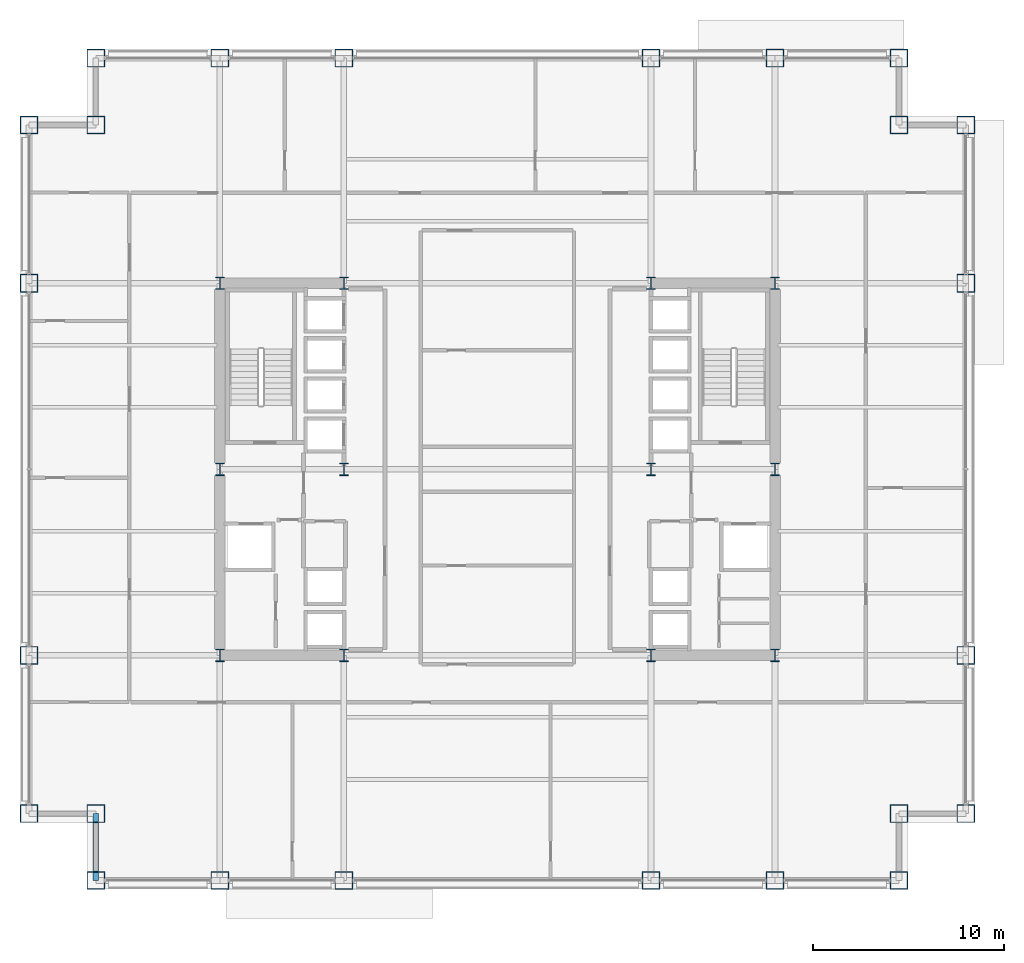
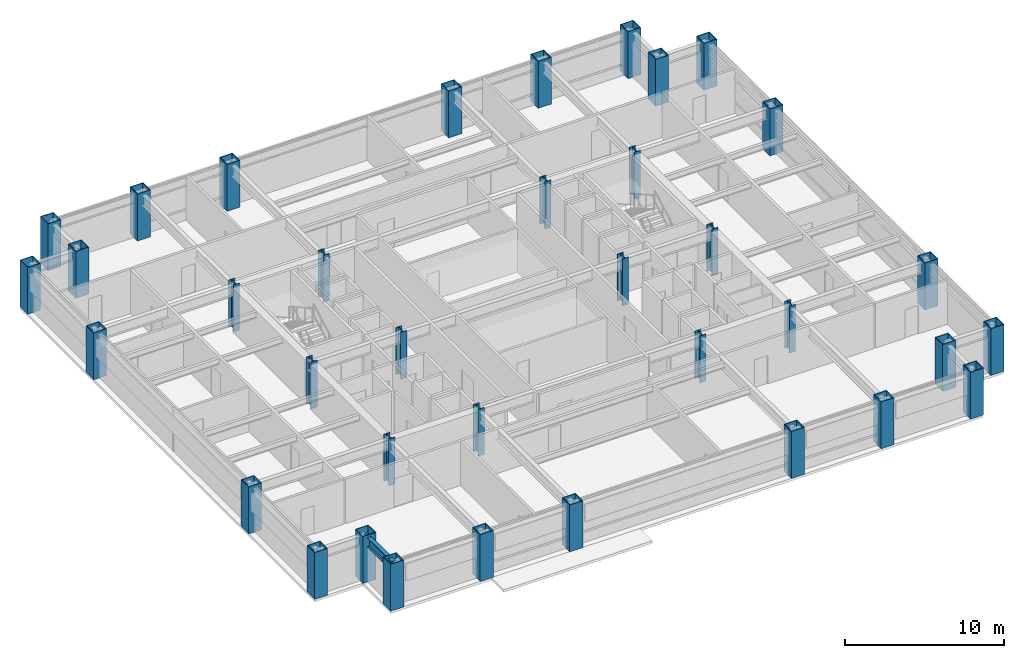
# One storey, part 1 of 28: 36 columns, 1 beam.
"""IFC4 building model written with IfcOpenShell, lengths in metres."""

from ifc_helpers import new_model, si_unit, direction, frame, origin, origin_2d, place, context, subcontext, project, spatial, hollow_rectangle, i_section, extrude, material, material_profile, profile_set, type_object, element, save


model = new_model("IFC4")

# Units and contexts
model_context = context("Model", 3, precision=1e-05, world=origin(), true_north=direction((0.0, 1.0)))
body_context = subcontext(model_context, "Body", "Model", "MODEL_VIEW")
ifc_project = project(units=[si_unit("LENGTHUNIT", "METRE"), si_unit("AREAUNIT", "SQUARE_METRE"), si_unit("VOLUMEUNIT", "CUBIC_METRE"), si_unit("PLANEANGLEUNIT", "RADIAN"), si_unit("MASSUNIT", "GRAM", prefix="KILO")], contexts=[model_context])

# Site, building, storey
site_placement = place(None, origin())
site = spatial("IfcSite", under=ifc_project, at=site_placement, CompositionType="ELEMENT")
building_placement = place(site_placement, origin())
building = spatial("IfcBuilding", under=site, at=building_placement, Name="Brelmoor Portico Tower", CompositionType="ELEMENT")
storey_placement = place(building_placement, frame((0.0, 0.0, 49.199951171875)))
storey = spatial("IfcBuildingStorey", under=building, at=storey_placement, Name="L12", CompositionType="ELEMENT", Elevation=49.199951171875)

# Columns
ifc_material_1 = material(Name="Steel Q420B", Category="steel")
ifc_material_profile_1 = material_profile(ifc_material_1, hollow_rectangle(XDim=0.949951171875, YDim=0.949951171875, WallThickness=0.048095703125, at=origin_2d()), Name="BOX 950x950x48")
ifc_profile_set_1 = profile_set([ifc_material_profile_1], Name="Steel Q420B")
column_type_1 = type_object("IfcColumnType", Name="COL-MEGA-950", PredefinedType="COLUMN", material=ifc_profile_set_1)
for number, where, z_axis, x_axis, name in (
    (1, (-21.050048828125, -21.550048828125, 0.0), (0.0, 0.0, 1.0), (1.0, 0.0, 0.0), "L12 Perimeter Mega-Column PS01"),
    (2, (-14.550048828125, -21.550048828125, 0.0), (0.0, 0.0, 1.0), (1.0, 0.0, 0.0), "L12 Perimeter Mega-Column PS02"),
    (3, (-8.050048828125, -21.550048828125, 0.0), (0.0, 0.0, 1.0), (1.0, 0.0, 0.0), "L12 Perimeter Mega-Column PS03"),
    (4, (8.050048828125, -21.550048828125, 0.0), (0.0, 0.0, 1.0), (1.0, 0.0, 0.0), "L12 Perimeter Mega-Column PS04"),
    (5, (14.550048828125, -21.550048828125, 0.0), (0.0, 0.0, 1.0), (1.0, 0.0, 0.0), "L12 Perimeter Mega-Column PS05"),
    (6, (21.050048828125, -21.550048828125, 0.0), (0.0, 0.0, 1.0), (1.0, 0.0, 0.0), "L12 Perimeter Mega-Column PS06"),
    (7, (-21.050048828125, 21.550048828125, 0.0), (0.0, 0.0, 1.0), (1.0, 0.0, 0.0), "L12 Perimeter Mega-Column PN01"),
    (8, (-14.550048828125, 21.550048828125, 0.0), (0.0, 0.0, 1.0), (1.0, 0.0, 0.0), "L12 Perimeter Mega-Column PN02"),
    (9, (-8.050048828125, 21.550048828125, 0.0), (0.0, 0.0, 1.0), (1.0, 0.0, 0.0), "L12 Perimeter Mega-Column PN03"),
    (10, (8.050048828125, 21.550048828125, 0.0), (0.0, 0.0, 1.0), (1.0, 0.0, 0.0), "L12 Perimeter Mega-Column PN04"),
    (11, (14.550048828125, 21.550048828125, 0.0), (0.0, 0.0, 1.0), (1.0, 0.0, 0.0), "L12 Perimeter Mega-Column PN05"),
    (12, (21.050048828125, 21.550048828125, 0.0), (0.0, 0.0, 1.0), (1.0, 0.0, 0.0), "L12 Perimeter Mega-Column PN06"),
    (13, (-24.550048828125, -18.050048828125, 0.0), (0.0, 0.0, 1.0), (0.0, 1.0, 0.0), "L12 Perimeter Mega-Column PW01"),
    (14, (-24.550048828125, -9.75, 0.0), (0.0, 0.0, 1.0), (0.0, 1.0, 0.0), "L12 Perimeter Mega-Column PW02"),
    (15, (-24.550048828125, 9.75, 0.0), (0.0, 0.0, 1.0), (0.0, 1.0, 0.0), "L12 Perimeter Mega-Column PW03"),
    (16, (-24.550048828125, 18.050048828125, 0.0), (0.0, 0.0, 1.0), (0.0, 1.0, 0.0), "L12 Perimeter Mega-Column PW04"),
    (17, (24.550048828125, -18.050048828125, 0.0), (0.0, 0.0, 1.0), (0.0, 1.0, 0.0), "L12 Perimeter Mega-Column PE01"),
    (18, (24.550048828125, -9.75, 0.0), (0.0, 0.0, 1.0), (0.0, 1.0, 0.0), "L12 Perimeter Mega-Column PE02"),
    (19, (24.550048828125, 9.75, 0.0), (0.0, 0.0, 1.0), (0.0, 1.0, 0.0), "L12 Perimeter Mega-Column PE03"),
    (20, (24.550048828125, 18.050048828125, 0.0), (0.0, 0.0, 1.0), (0.0, 1.0, 0.0), "L12 Perimeter Mega-Column PE04"),
    (21, (-21.050048828125, 18.050048828125, 0.0), (0.0, 0.0, 1.0), (1.0, 0.0, 0.0), "L12 Perimeter Mega-Column PC-NW"),
    (22, (21.050048828125, 18.050048828125, 0.0), (0.0, 0.0, 1.0), (1.0, 0.0, 0.0), "L12 Perimeter Mega-Column PC-NE"),
    (23, (21.050048828125, -18.050048828125, 0.0), (0.0, 0.0, 1.0), (1.0, 0.0, 0.0), "L12 Perimeter Mega-Column PC-SE"),
    (24, (-21.050048828125, -18.050048828125, 0.0), (0.0, 0.0, 1.0), (1.0, 0.0, 0.0), "L12 Perimeter Mega-Column PC-SW"),
):
    element("IfcColumn", number, at=place(storey_placement, frame(where, z_axis=z_axis, x_axis=x_axis)), inside=storey, type_object=column_type_1, Name=name, PredefinedType="COLUMN", context=body_context, shape_type="SweptSolid", body=[
        extrude(hollow_rectangle(XDim=0.949951171875, YDim=0.949951171875, WallThickness=0.048095703125, at=origin_2d()), origin(), (0.0, 0.0, 1.0), 3.60009765625),
    ])
ifc_material_2 = material(Name="Steel Q355B", Category="steel")
ifc_material_profile_2 = material_profile(ifc_material_2, i_section(OverallWidth=0.449951171875, OverallDepth=0.64990234375, WebThickness=0.02490234375, FlangeThickness=0.0400390625, at=origin_2d()), Name="HW 650x450x25x40")
ifc_profile_set_2 = profile_set([ifc_material_profile_2], Name="Steel Q355B")
column_type_2 = type_object("IfcColumnType", Name="COL-SPINE-650", PredefinedType="COLUMN", material=ifc_profile_set_2)
for number, where, z_axis, x_axis, name in (
    (25, (-14.550048828125, -9.75, 0.0), (0.0, 0.0, 1.0), (1.0, 0.0, 0.0), "L12 Core Spine Column CW-SW"),
    (26, (-14.550048828125, 0.0, 0.0), (0.0, 0.0, 1.0), (1.0, 0.0, 0.0), "L12 Core Spine Column CW-MW"),
    (27, (-14.550048828125, 9.75, 0.0), (0.0, 0.0, 1.0), (1.0, 0.0, 0.0), "L12 Core Spine Column CW-NW"),
    (28, (-8.050048828125, -9.75, 0.0), (0.0, 0.0, 1.0), (1.0, 0.0, 0.0), "L12 Core Spine Column CW-SE"),
    (29, (-8.050048828125, 0.0, 0.0), (0.0, 0.0, 1.0), (1.0, 0.0, 0.0), "L12 Core Spine Column CW-ME"),
    (30, (-8.050048828125, 9.75, 0.0), (0.0, 0.0, 1.0), (1.0, 0.0, 0.0), "L12 Core Spine Column CW-NE"),
    (31, (8.050048828125, -9.75, 0.0), (0.0, 0.0, 1.0), (1.0, 0.0, 0.0), "L12 Core Spine Column CE-SW"),
    (32, (8.050048828125, 0.0, 0.0), (0.0, 0.0, 1.0), (1.0, 0.0, 0.0), "L12 Core Spine Column CE-MW"),
    (33, (8.050048828125, 9.75, 0.0), (0.0, 0.0, 1.0), (1.0, 0.0, 0.0), "L12 Core Spine Column CE-NW"),
    (34, (14.550048828125, -9.75, 0.0), (0.0, 0.0, 1.0), (1.0, 0.0, 0.0), "L12 Core Spine Column CE-SE"),
    (35, (14.550048828125, 0.0, 0.0), (0.0, 0.0, 1.0), (1.0, 0.0, 0.0), "L12 Core Spine Column CE-ME"),
    (36, (14.550048828125, 9.75, 0.0), (0.0, 0.0, 1.0), (1.0, 0.0, 0.0), "L12 Core Spine Column CE-NE"),
):
    element("IfcColumn", number, at=place(storey_placement, frame(where, z_axis=z_axis, x_axis=x_axis)), inside=storey, type_object=column_type_2, Name=name, PredefinedType="COLUMN", context=body_context, shape_type="SweptSolid", body=[
        extrude(i_section(OverallWidth=0.449951171875, OverallDepth=0.64990234375, WebThickness=0.02490234375, FlangeThickness=0.0400390625, at=origin_2d()), origin(), (0.0, 0.0, 1.0), 3.60009765625),
    ])

# Beam
ifc_material_profile_3 = material_profile(ifc_material_2, i_section(OverallWidth=0.300048828125, OverallDepth=0.699951171875, WebThickness=0.012939453125, FlangeThickness=0.02392578125, at=origin_2d()), Name="HN 700x300x13x24")
ifc_profile_set_3 = profile_set([ifc_material_profile_3], Name="Steel Q355B")
beam_type = type_object("IfcBeamType", Name="BM-SP-700", PredefinedType="SPANDREL", material=ifc_profile_set_3)
beam_placement = place(storey_placement, frame((-21.050048828125, -21.550048828125, 3.050048828125), z_axis=(0.0, 1.0, 0.0), x_axis=(-1.0, 0.0, 0.0)))
element("IfcBeam", 37, at=beam_placement, inside=storey, type_object=beam_type, Name="L12 Perimeter Spandrel Beam SP-18", PredefinedType="SPANDREL", context=body_context, shape_type="SweptSolid", body=[
    extrude(i_section(OverallWidth=0.300048828125, OverallDepth=0.699951171875, WebThickness=0.012939453125, FlangeThickness=0.02392578125, at=origin_2d()), origin(), (0.0, 0.0, 1.0), 3.5),
])

save(model, "model.ifc")
